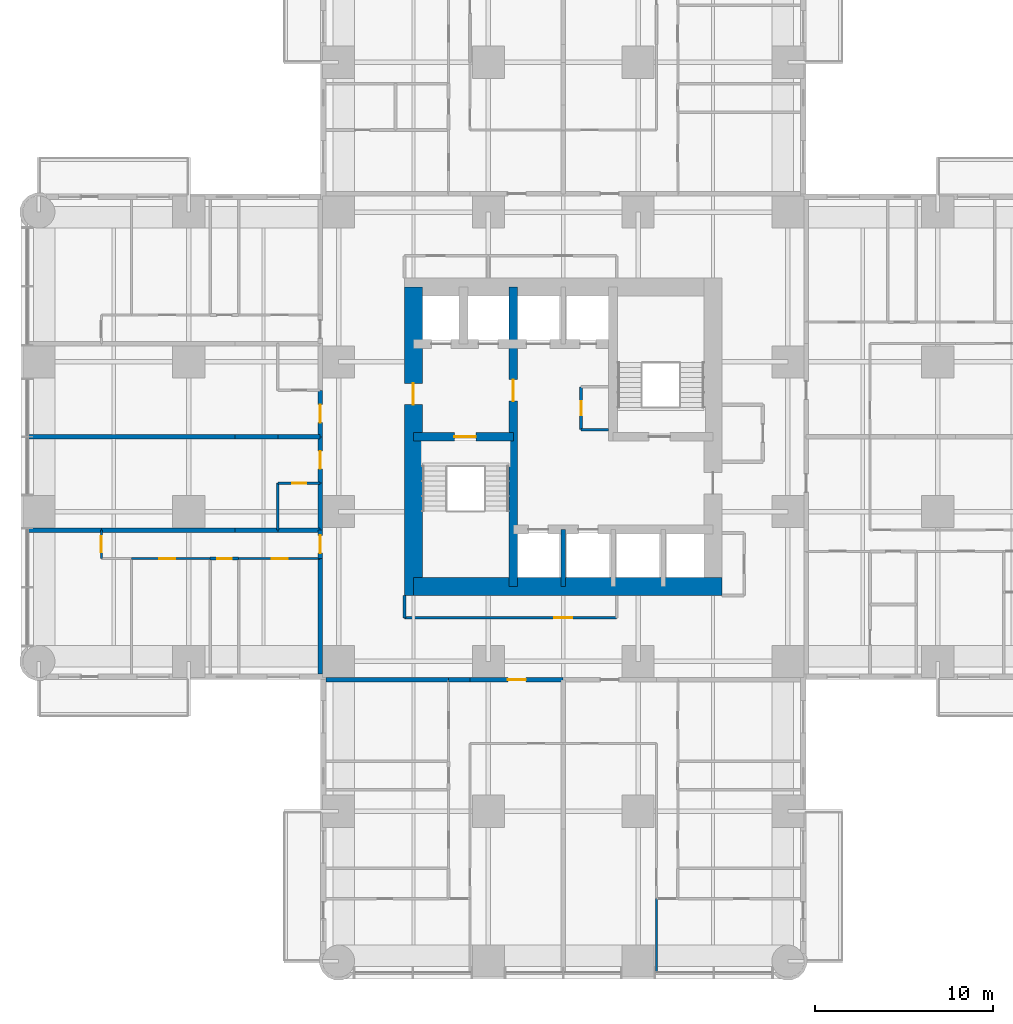
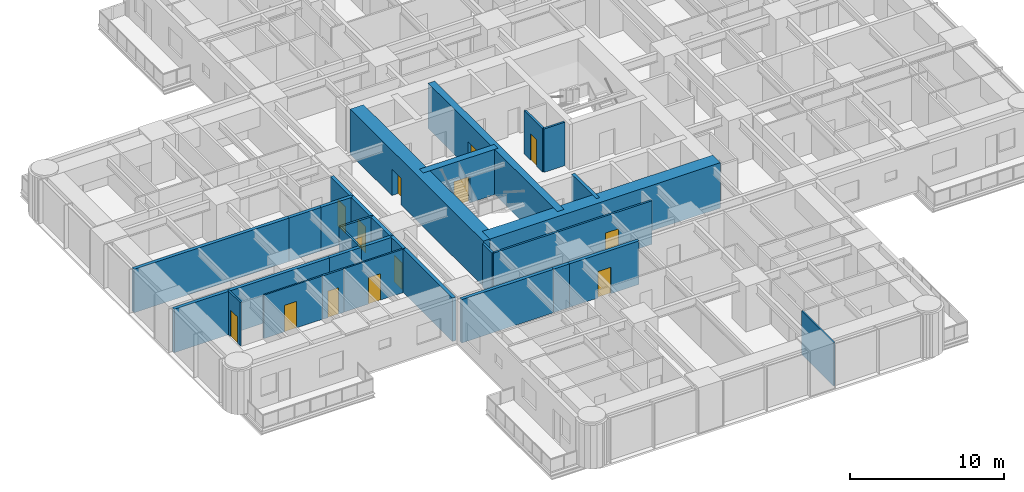
# One storey, part 8 of 17: 31 walls, 14 doors, 14 openings.
"""IFC4 building model written with IfcOpenShell, lengths in metres."""

from ifc_helpers import new_model, si_unit, direction, frame, frame_2d, origin, place, context, subcontext, project, spatial, rectangle, extrude, material, layer, layer_set, type_object, element, fill, save


model = new_model("IFC4")

# Units and contexts
model_context = context("Model", 3, precision=1e-05, world=origin(), true_north=direction((0.0, 1.0)))
body_context = subcontext(model_context, "Body", "Model", "MODEL_VIEW")
ifc_project = project(units=[si_unit("LENGTHUNIT", "METRE"), si_unit("AREAUNIT", "SQUARE_METRE"), si_unit("VOLUMEUNIT", "CUBIC_METRE"), si_unit("PLANEANGLEUNIT", "RADIAN"), si_unit("MASSUNIT", "GRAM", prefix="KILO")], contexts=[model_context])

# Site, building, storey
site_placement = place(None, origin())
site = spatial("IfcSite", under=ifc_project, at=site_placement, CompositionType="ELEMENT")
building_placement = place(site_placement, origin())
building = spatial("IfcBuilding", under=site, at=building_placement, Name="Torre Alcanfor", CompositionType="ELEMENT")
storey_placement = place(building_placement, frame((0.0, 0.0, 81.300048828125)))
storey = spatial("IfcBuildingStorey", under=building, at=storey_placement, Name="L20", CompositionType="ELEMENT", Elevation=81.300048828125)

# Wall, opening, door
ifc_material_1 = material(Name="Concrete block masonry, hollow blocks NMX-C-404 9 MPa", Category="masonry")
ifc_layer_1 = layer(ifc_material_1, 0.25)
ifc_layer_set_1 = layer_set([ifc_layer_1], Name="Apartment entrance wall 250 EI 60")
wall_type_1 = type_object("IfcWallType", Name="Apartment entrance wall 250 EI 60", PredefinedType="PARTITIONING", material=ifc_layer_set_1)
wall_1_placement = place(storey_placement, frame((29.39990234375, 15.77490234375, 0.0), z_axis=(0.0, 0.0, 1.0), x_axis=(-1.0, 0.0, 0.0)))
wall_1 = element("IfcWall", 1, at=wall_1_placement, inside=storey, type_object=wall_type_1, Name="Partition L20-CORR / L20-S2-ZAG", PredefinedType="PARTITIONING", context=body_context, shape_type="SweptSolid", body=[
    extrude(rectangle(XDim=5.22900390625, YDim=0.25, at=frame_2d((2.614501953125, 0.0))), origin(), (0.0, 0.0, 1.0), 3.449951171875),
])
opening_1_placement = place(wall_1_placement, frame((2.10009765625, 0.0, 0.0)))
opening_1 = element("IfcOpeningElement", 2, at=opening_1_placement, cuts=wall_1, Name="Opening D-A1", PredefinedType="OPENING", context=body_context, shape_type="SweptSolid", body=[
    extrude(rectangle(XDim=1.0, YDim=2.10009765625, at=frame_2d((0.5, 1.050048828125))), frame((0.0, 0.135009765625, 0.0), z_axis=(0.0, -1.0, 0.0), x_axis=(1.0, 0.0, 0.0)), (0.0, 0.0, 1.0), 0.27001953125),
])
ifc_material_2 = material(Name="Galvanised steel sheet ASTM A653", Category="steel")
door_type_1 = type_object("IfcDoorType", Name="Apartment entrance door FD60 1000x2100", OperationType="SINGLE_SWING_LEFT", PredefinedType="DOOR", material=ifc_material_2)
door_1_placement = place(opening_1_placement, origin())
door_1 = element("IfcDoor", 3, at=door_1_placement, inside=storey, type_object=door_type_1, Name="Apartment entrance L20-S2", OperationType="SINGLE_SWING_LEFT", OverallHeight=2.10009765625, OverallWidth=1.0, PredefinedType="DOOR", context=body_context, shape_type="SweptSolid", body=[
    extrude(rectangle(XDim=1.0, YDim=2.10009765625, at=frame_2d((0.5, 1.050048828125))), frame((0.0, 0.02490234375, 0.0), z_axis=(0.0, -1.0, 0.0), x_axis=(1.0, 0.0, 0.0)), (0.0, 0.0, 1.0), 0.050048828125),
])
fill(opening_1, door_1)

# Walls
wall_2_placement = place(storey_placement, frame((24.1708984375, 15.77490234375, 0.0), z_axis=(0.0, 0.0, 1.0), x_axis=(-1.0, 0.0, 0.0)))
element("IfcWall", 4, at=wall_2_placement, inside=storey, type_object=wall_type_1, Name="Partition L20-CORR / L20-S2-HALL", PredefinedType="PARTITIONING", context=body_context, shape_type="SweptSolid", body=[
    extrude(rectangle(XDim=1.199951171875, YDim=0.25, at=frame_2d((0.60009765625, 0.0))), origin(), (0.0, 0.0, 1.0), 3.449951171875),
])
wall_3_placement = place(storey_placement, frame((22.970947265625, 15.77490234375, 0.0), z_axis=(0.0, 0.0, 1.0), x_axis=(-1.0, 0.0, 0.0)))
element("IfcWall", 5, at=wall_3_placement, inside=storey, type_object=wall_type_1, Name="Partition L20-CORR / L20-S2-BED3", PredefinedType="PARTITIONING", context=body_context, shape_type="SweptSolid", body=[
    extrude(rectangle(XDim=6.870849609375, YDim=0.25, at=frame_2d((3.435546875, 0.0))), origin(), (0.0, 0.0, 1.0), 3.449951171875),
])

# Wall, opening, door
wall_4_placement = place(storey_placement, frame((15.77490234375, 26.800048828125, 0.0), z_axis=(0.0, 0.0, 1.0), x_axis=(0.0, 1.0, 0.0)))
wall_4 = element("IfcWall", 6, at=wall_4_placement, inside=storey, type_object=wall_type_1, Name="Partition L20-CORR / L20-W1A-FOYER", PredefinedType="PARTITIONING", context=body_context, shape_type="SweptSolid", body=[
    extrude(rectangle(XDim=2.599853515625, YDim=0.25, at=frame_2d((1.2998046875, 0.0))), origin(), (0.0, 0.0, 1.0), 3.449951171875),
])
opening_2_placement = place(wall_4_placement, frame((0.800048828125, 0.0, 0.0)))
opening_2 = element("IfcOpeningElement", 7, at=opening_2_placement, cuts=wall_4, Name="Opening D-A1", PredefinedType="OPENING", context=body_context, shape_type="SweptSolid", body=[
    extrude(rectangle(XDim=1.0, YDim=2.10009765625, at=frame_2d((0.5, 1.050048828125))), frame((0.0, 0.135009765625, 0.0), z_axis=(0.0, -1.0, 0.0), x_axis=(1.0, 0.0, 0.0)), (0.0, 0.0, 1.0), 0.27001953125),
])
door_2_placement = place(opening_2_placement, origin())
door_2 = element("IfcDoor", 8, at=door_2_placement, inside=storey, type_object=door_type_1, Name="Apartment entrance L20-W1A", OperationType="SINGLE_SWING_LEFT", OverallHeight=2.10009765625, OverallWidth=1.0, PredefinedType="DOOR", context=body_context, shape_type="SweptSolid", body=[
    extrude(rectangle(XDim=1.0, YDim=2.10009765625, at=frame_2d((0.5, 1.050048828125))), frame((0.0, 0.02490234375, 0.0), z_axis=(0.0, -1.0, 0.0), x_axis=(1.0, 0.0, 0.0)), (0.0, 0.0, 1.0), 0.050048828125),
])
fill(opening_2, door_2)

# Wall
wall_5_placement = place(storey_placement, frame((15.77490234375, 24.1708984375, 0.0), z_axis=(0.0, 0.0, 1.0), x_axis=(0.0, 1.0, 0.0)))
element("IfcWall", 9, at=wall_5_placement, inside=storey, type_object=wall_type_1, Name="Partition L20-CORR / L20-W1A-BATH", PredefinedType="PARTITIONING", context=body_context, shape_type="SweptSolid", body=[
    extrude(rectangle(XDim=2.629150390625, YDim=0.25, at=frame_2d((1.314453125, 0.0))), origin(), (0.0, 0.0, 1.0), 3.449951171875),
])

# Wall, opening, door
wall_6_placement = place(storey_placement, frame((15.77490234375, 22.571044921875, 0.0), z_axis=(0.0, 0.0, 1.0), x_axis=(0.0, 1.0, 0.0)))
wall_6 = element("IfcWall", 10, at=wall_6_placement, inside=storey, type_object=wall_type_1, Name="Partition L20-CORR / L20-W1B-HALL", PredefinedType="PARTITIONING", context=body_context, shape_type="SweptSolid", body=[
    extrude(rectangle(XDim=1.599853515625, YDim=0.25, at=frame_2d((0.7998046875, 0.0))), origin(), (0.0, 0.0, 1.0), 3.449951171875),
])
opening_3_placement = place(wall_6_placement, frame((0.300048828125, 0.0, 0.0)))
opening_3 = element("IfcOpeningElement", 11, at=opening_3_placement, cuts=wall_6, Name="Opening D-A1", PredefinedType="OPENING", context=body_context, shape_type="SweptSolid", body=[
    extrude(rectangle(XDim=1.0, YDim=2.10009765625, at=frame_2d((0.5, 1.050048828125))), frame((0.0, 0.135009765625, 0.0), z_axis=(0.0, -1.0, 0.0), x_axis=(1.0, 0.0, 0.0)), (0.0, 0.0, 1.0), 0.27001953125),
])
door_3_placement = place(opening_3_placement, origin())
door_3 = element("IfcDoor", 12, at=door_3_placement, inside=storey, type_object=door_type_1, Name="Apartment entrance L20-W1B", OperationType="SINGLE_SWING_LEFT", OverallHeight=2.10009765625, OverallWidth=1.0, PredefinedType="DOOR", context=body_context, shape_type="SweptSolid", body=[
    extrude(rectangle(XDim=1.0, YDim=2.10009765625, at=frame_2d((0.5, 1.050048828125))), frame((0.0, 0.02490234375, 0.0), z_axis=(0.0, -1.0, 0.0), x_axis=(1.0, 0.0, 0.0)), (0.0, 0.0, 1.0), 0.050048828125),
])
fill(opening_3, door_3)

# Wall
wall_7_placement = place(storey_placement, frame((15.77490234375, 16.10009765625, 0.0), z_axis=(0.0, 0.0, 1.0), x_axis=(0.0, 1.0, 0.0)))
element("IfcWall", 13, at=wall_7_placement, inside=storey, type_object=wall_type_1, Name="Partition L20-CORR / L20-W1B-MASTER", PredefinedType="PARTITIONING", context=body_context, shape_type="SweptSolid", body=[
    extrude(rectangle(XDim=6.470947265625, YDim=0.25, at=frame_2d((3.2353515625, 0.0))), origin(), (0.0, 0.0, 1.0), 3.449951171875),
])

# Wall, opening, door
wall_8_placement = place(storey_placement, frame((15.77490234375, 29.39990234375, 0.0), z_axis=(0.0, 0.0, 1.0), x_axis=(0.0, 1.0, 0.0)))
wall_8 = element("IfcWall", 14, at=wall_8_placement, inside=storey, type_object=wall_type_1, Name="Partition L20-CORR / L20-W2A-FOYER", PredefinedType="PARTITIONING", context=body_context, shape_type="SweptSolid", body=[
    extrude(rectangle(XDim=2.60009765625, YDim=0.25, at=frame_2d((1.300048828125, 0.0))), origin(), (0.0, 0.0, 1.0), 3.449951171875),
])
opening_4_placement = place(wall_8_placement, frame((0.800048828125, 0.0, 0.0)))
opening_4 = element("IfcOpeningElement", 15, at=opening_4_placement, cuts=wall_8, Name="Opening D-A1", PredefinedType="OPENING", context=body_context, shape_type="SweptSolid", body=[
    extrude(rectangle(XDim=1.0, YDim=2.10009765625, at=frame_2d((0.5, 1.050048828125))), frame((0.0, 0.135009765625, 0.0), z_axis=(0.0, -1.0, 0.0), x_axis=(1.0, 0.0, 0.0)), (0.0, 0.0, 1.0), 0.27001953125),
])
door_4_placement = place(opening_4_placement, origin())
door_4 = element("IfcDoor", 16, at=door_4_placement, inside=storey, type_object=door_type_1, Name="Apartment entrance L20-W2A", OperationType="SINGLE_SWING_LEFT", OverallHeight=2.10009765625, OverallWidth=1.0, PredefinedType="DOOR", context=body_context, shape_type="SweptSolid", body=[
    extrude(rectangle(XDim=1.0, YDim=2.10009765625, at=frame_2d((0.5, 1.050048828125))), frame((0.0, 0.02490234375, 0.0), z_axis=(0.0, -1.0, 0.0), x_axis=(1.0, 0.0, 0.0)), (0.0, 0.0, 1.0), 0.050048828125),
])
fill(opening_4, door_4)

# Wall
ifc_material_3 = material(Name="Gypsum board on steel studs", Category="steel")
ifc_layer_2 = layer(ifc_material_3, 0.1201171875)
ifc_layer_set_2 = layer_set([ifc_layer_2], Name="Apartment partition 120")
wall_type_2 = type_object("IfcWallType", Name="Apartment partition 120", PredefinedType="PARTITIONING", material=ifc_layer_set_2)
wall_9_placement = place(storey_placement, frame((34.62890625, -0.64990234375, 0.0), z_axis=(0.0, 0.0, 1.0), x_axis=(0.0, 1.0, 0.0)))
element("IfcWall", 17, at=wall_9_placement, inside=storey, type_object=wall_type_2, Name="Partition L20-S1-LIVING / L20-S1-MASTER", PredefinedType="PARTITIONING", context=body_context, shape_type="SweptSolid", body=[
    extrude(rectangle(XDim=4.14990234375, YDim=0.1201171875, at=frame_2d((2.074951171875, 0.0))), origin(), (0.0, 0.0, 1.0), 3.449951171875),
])

# Wall, opening, door
wall_10_placement = place(storey_placement, frame((11.199951171875, 22.571044921875, 0.0), z_axis=(0.0, 0.0, 1.0), x_axis=(1.0, 0.0, 0.0)))
wall_10 = element("IfcWall", 18, at=wall_10_placement, inside=storey, type_object=wall_type_2, Name="Partition L20-W1B-HALL / L20-W1B-MASTER", PredefinedType="PARTITIONING", context=body_context, shape_type="SweptSolid", body=[
    extrude(rectangle(XDim=4.574951171875, YDim=0.1201171875, at=frame_2d((2.28759765625, 0.0))), origin(), (0.0, 0.0, 1.0), 3.449951171875),
])
opening_5_placement = place(wall_10_placement, frame((1.85009765625, 0.0, 0.0)))
opening_5 = element("IfcOpeningElement", 19, at=opening_5_placement, cuts=wall_10, Name="Opening D-R1", PredefinedType="OPENING", context=body_context, shape_type="SweptSolid", body=[
    extrude(rectangle(XDim=0.89990234375, YDim=2.10009765625, at=frame_2d((0.449951171875, 1.050048828125))), frame((0.0, 0.070068359375, 0.0), z_axis=(0.0, -1.0, 0.0), x_axis=(1.0, 0.0, 0.0)), (0.0, 0.0, 1.0), 0.14013671875),
])
ifc_material_4 = material(Name="Timber", Category="wood")
door_type_2 = type_object("IfcDoorType", Name="Internal door 900x2100", OperationType="SINGLE_SWING_LEFT", PredefinedType="DOOR", material=ifc_material_4)
door_5_placement = place(opening_5_placement, frame((0.89990234375, 0.0, 0.0), z_axis=(0.0, 0.0, 1.0), x_axis=(-1.0, 0.0, 0.0)))
door_5 = element("IfcDoor", 20, at=door_5_placement, inside=storey, type_object=door_type_2, Name="Door L20-W1B master", OperationType="SINGLE_SWING_LEFT", OverallHeight=2.10009765625, OverallWidth=0.89990234375, PredefinedType="DOOR", context=body_context, shape_type="SweptSolid", body=[
    extrude(rectangle(XDim=0.89990234375, YDim=2.10009765625, at=frame_2d((0.449951171875, 1.050048828125))), frame((0.0, 0.025146484375, 0.0), z_axis=(0.0, -1.0, 0.0), x_axis=(1.0, 0.0, 0.0)), (0.0, 0.0, 1.0), 0.050048828125),
])
fill(opening_5, door_5)

wall_11_placement = place(storey_placement, frame((5.199951171875, 22.571044921875, 0.0), z_axis=(0.0, 0.0, 1.0), x_axis=(1.0, 0.0, 0.0)))
wall_11 = element("IfcWall", 21, at=wall_11_placement, inside=storey, type_object=wall_type_2, Name="Partition L20-W1B-HALL / L20-W1B-STUDY", PredefinedType="PARTITIONING", context=body_context, shape_type="SweptSolid", body=[
    extrude(rectangle(XDim=4.400146484375, YDim=0.1201171875, at=frame_2d((2.2001953125, 0.0))), origin(), (0.0, 0.0, 1.0), 3.449951171875),
])
opening_6_placement = place(wall_11_placement, frame((1.550048828125, 0.0, 0.0)))
opening_6 = element("IfcOpeningElement", 22, at=opening_6_placement, cuts=wall_11, Name="Opening D-R1", PredefinedType="OPENING", context=body_context, shape_type="SweptSolid", body=[
    extrude(rectangle(XDim=0.89990234375, YDim=2.10009765625, at=frame_2d((0.449951171875, 1.050048828125))), frame((0.0, 0.070068359375, 0.0), z_axis=(0.0, -1.0, 0.0), x_axis=(1.0, 0.0, 0.0)), (0.0, 0.0, 1.0), 0.14013671875),
])
door_6_placement = place(opening_6_placement, frame((0.89990234375, 0.0, 0.0), z_axis=(0.0, 0.0, 1.0), x_axis=(-1.0, 0.0, 0.0)))
door_6 = element("IfcDoor", 23, at=door_6_placement, inside=storey, type_object=door_type_2, Name="Door L20-W1B study", OperationType="SINGLE_SWING_RIGHT", OverallHeight=2.10009765625, OverallWidth=0.89990234375, PredefinedType="DOOR", context=body_context, shape_type="SweptSolid", body=[
    extrude(rectangle(XDim=0.89990234375, YDim=2.10009765625, at=frame_2d((0.449951171875, 1.050048828125))), frame((0.0, 0.025146484375, 0.0), z_axis=(0.0, -1.0, 0.0), x_axis=(1.0, 0.0, 0.0)), (0.0, 0.0, 1.0), 0.050048828125),
])
fill(opening_6, door_6)

wall_12_placement = place(storey_placement, frame((3.5, 24.1708984375, 0.0), z_axis=(0.0, 0.0, 1.0), x_axis=(0.0, -1.0, 0.0)))
wall_12 = element("IfcWall", 24, at=wall_12_placement, inside=storey, type_object=wall_type_2, Name="Partition L20-W1B-HALL / L20-W1B-LIVING", PredefinedType="PARTITIONING", context=body_context, shape_type="SweptSolid", body=[
    extrude(rectangle(XDim=1.599853515625, YDim=0.1201171875, at=frame_2d((0.7998046875, 0.0))), origin(), (0.0, 0.0, 1.0), 3.449951171875),
])
opening_7_placement = place(wall_12_placement, frame((0.35009765625, 0.0, 0.0)))
opening_7 = element("IfcOpeningElement", 25, at=opening_7_placement, cuts=wall_12, Name="Opening D-R1", PredefinedType="OPENING", context=body_context, shape_type="SweptSolid", body=[
    extrude(rectangle(XDim=0.89990234375, YDim=2.10009765625, at=frame_2d((0.449951171875, 1.050048828125))), frame((0.0, 0.070068359375, 0.0), z_axis=(0.0, -1.0, 0.0), x_axis=(1.0, 0.0, 0.0)), (0.0, 0.0, 1.0), 0.14013671875),
])
door_7_placement = place(opening_7_placement, frame((0.89990234375, 0.0, 0.0), z_axis=(0.0, 0.0, 1.0), x_axis=(-1.0, 0.0, 0.0)))
door_7 = element("IfcDoor", 26, at=door_7_placement, inside=storey, type_object=door_type_2, Name="Door L20-W1B living", OperationType="SINGLE_SWING_RIGHT", OverallHeight=2.10009765625, OverallWidth=0.89990234375, PredefinedType="DOOR", context=body_context, shape_type="SweptSolid", body=[
    extrude(rectangle(XDim=0.89990234375, YDim=2.10009765625, at=frame_2d((0.449951171875, 1.050048828125))), frame((0.0, 0.025146484375, 0.0), z_axis=(0.0, -1.0, 0.0), x_axis=(1.0, 0.0, 0.0)), (0.0, 0.0, 1.0), 0.050048828125),
])
fill(opening_7, door_7)

ifc_material_5 = material(Name="Concrete f'c 70 MPa", Category="concrete")
ifc_layer_3 = layer(ifc_material_5, 0.5)
ifc_layer_set_3 = layer_set([ifc_layer_3], Name="Core inner wall 500 f'c70")
wall_type_3 = type_object("IfcWallType", Name="Core inner wall 500 f'c70", PredefinedType="SHEAR", material=ifc_layer_set_3)
wall_13_placement = place(storey_placement, frame((26.60009765625, 21.0, 0.0), z_axis=(0.0, 0.0, 1.0), x_axis=(0.0, 1.0, 0.0)))
wall_13 = element("IfcWall", 27, at=wall_13_placement, inside=storey, type_object=wall_type_3, Name="Core wall X266 L20", PredefinedType="SHEAR", context=body_context, shape_type="SweptSolid", body=[
    extrude(rectangle(XDim=16.800048828125, YDim=0.5, at=frame_2d((8.39990234375, 0.0))), origin(), (0.0, 0.0, 1.0), 3.599853515625),
])
opening_8_placement = place(wall_13_placement, frame((10.39990234375, 0.0, 0.0)))
opening_8 = element("IfcOpeningElement", 28, at=opening_8_placement, cuts=wall_13, Name="Opening D-L1", PredefinedType="OPENING", context=body_context, shape_type="SweptSolid", body=[
    extrude(rectangle(XDim=1.199951171875, YDim=2.10009765625, at=frame_2d((0.60009765625, 1.050048828125))), frame((0.0, 0.260009765625, 0.0), z_axis=(0.0, -1.0, 0.0), x_axis=(1.0, 0.0, 0.0)), (0.0, 0.0, 1.0), 0.52001953125),
])
ifc_material_6 = material(Name="Galvanised steel sheet ASTM A653", Category="steel")
door_type_3 = type_object("IfcDoorType", Name="Lobby door FD120 1200x2100", OperationType="SINGLE_SWING_LEFT", PredefinedType="DOOR", material=ifc_material_6)
door_8_placement = place(opening_8_placement, origin())
door_8 = element("IfcDoor", 29, at=door_8_placement, inside=storey, type_object=door_type_3, Name="Lift lobby door L20", OperationType="SINGLE_SWING_LEFT", OverallHeight=2.10009765625, OverallWidth=1.199951171875, PredefinedType="DOOR", context=body_context, shape_type="SweptSolid", body=[
    extrude(rectangle(XDim=1.199951171875, YDim=2.10009765625, at=frame_2d((0.60009765625, 1.050048828125))), frame((0.0, 0.02490234375, 0.0), z_axis=(0.0, -1.0, 0.0), x_axis=(1.0, 0.0, 0.0)), (0.0, 0.0, 1.0), 0.050048828125),
])
fill(opening_8, door_8)

wall_14_placement = place(storey_placement, frame((21.0, 29.39990234375, 0.0), z_axis=(0.0, 0.0, 1.0), x_axis=(1.0, 0.0, 0.0)))
wall_14 = element("IfcWall", 30, at=wall_14_placement, inside=storey, type_object=wall_type_3, Name="Core wall Y294W L20", PredefinedType="SHEAR", context=body_context, shape_type="SweptSolid", body=[
    extrude(rectangle(XDim=5.60009765625, YDim=0.5, at=frame_2d((2.800048828125, 0.0))), origin(), (0.0, 0.0, 1.0), 3.599853515625),
])
opening_9_placement = place(wall_14_placement, frame((2.300048828125, 0.0, 0.0)))
opening_9 = element("IfcOpeningElement", 31, at=opening_9_placement, cuts=wall_14, Name="Opening D-S2", PredefinedType="OPENING", context=body_context, shape_type="SweptSolid", body=[
    extrude(rectangle(XDim=1.199951171875, YDim=2.10009765625, at=frame_2d((0.60009765625, 1.050048828125))), frame((0.0, 0.260009765625, 0.0), z_axis=(0.0, -1.0, 0.0), x_axis=(1.0, 0.0, 0.0)), (0.0, 0.0, 1.0), 0.52001953125),
])
ifc_material_7 = material(Name="Galvanised steel sheet ASTM A653", Category="steel")
door_type_4 = type_object("IfcDoorType", Name="Stair enclosure door FD120 1200x2100", OperationType="SINGLE_SWING_LEFT", PredefinedType="DOOR", material=ifc_material_7)
door_9_placement = place(opening_9_placement, frame((1.199951171875, 0.0, 0.0), z_axis=(0.0, 0.0, 1.0), x_axis=(-1.0, 0.0, 0.0)))
door_9 = element("IfcDoor", 32, at=door_9_placement, inside=storey, type_object=door_type_4, Name="Stair S1 door L20", OperationType="SINGLE_SWING_LEFT", OverallHeight=2.10009765625, OverallWidth=1.199951171875, PredefinedType="DOOR", context=body_context, shape_type="SweptSolid", body=[
    extrude(rectangle(XDim=1.199951171875, YDim=2.10009765625, at=frame_2d((0.599853515625, 1.050048828125))), frame((0.0, 0.025146484375, 0.0), z_axis=(0.0, -1.0, 0.0), x_axis=(1.0, 0.0, 0.0)), (0.0, 0.0, 1.0), 0.050048828125),
])
fill(opening_9, door_9)

# Walls
ifc_material_8 = material(Name="Concrete f'c 70 MPa", Category="concrete")
ifc_layer_4 = layer(ifc_material_8, 0.25)
ifc_layer_set_4 = layer_set([ifc_layer_4], Name="Core shaft wall 250 f'c70")
wall_type_4 = type_object("IfcWallType", Name="Core shaft wall 250 f'c70", PredefinedType="SHEAR", material=ifc_layer_set_4)
wall_15_placement = place(storey_placement, frame((29.39990234375, 21.0, 0.0), z_axis=(0.0, 0.0, 1.0), x_axis=(0.0, 1.0, 0.0)))
element("IfcWall", 33, at=wall_15_placement, inside=storey, type_object=wall_type_4, Name="Core wall X294S L20", PredefinedType="SHEAR", context=body_context, shape_type="SweptSolid", body=[
    extrude(rectangle(XDim=3.199951171875, YDim=0.25, at=frame_2d((1.60009765625, 0.0))), origin(), (0.0, 0.0, 1.0), 3.599853515625),
])
ifc_material_9 = material(Name="Concrete f'c 70 MPa", Category="concrete")
ifc_layer_5 = layer(ifc_material_9, 1.0)
ifc_layer_set_5 = layer_set([ifc_layer_5], Name="Core wall 1000 f'c70")
wall_type_5 = type_object("IfcWallType", Name="Core wall 1000 f'c70", PredefinedType="SHEAR", material=ifc_layer_set_5)
wall_16_placement = place(storey_placement, frame((21.0, 21.0, 0.0), z_axis=(0.0, 0.0, 1.0), x_axis=(1.0, 0.0, 0.0)))
element("IfcWall", 34, at=wall_16_placement, inside=storey, type_object=wall_type_5, Name="Core wall OUT-S L20", PredefinedType="SHEAR", context=body_context, shape_type="SweptSolid", body=[
    extrude(rectangle(XDim=17.300048828125, YDim=1.0, at=frame_2d((8.64990234375, 0.0))), origin(), (0.0, 0.0, 1.0), 3.599853515625),
])

# Wall, opening, door
wall_17_placement = place(storey_placement, frame((21.0, 37.800048828125, 0.0), z_axis=(0.0, 0.0, 1.0), x_axis=(0.0, -1.0, 0.0)))
wall_17 = element("IfcWall", 35, at=wall_17_placement, inside=storey, type_object=wall_type_5, Name="Core wall OUT-W L20", PredefinedType="SHEAR", context=body_context, shape_type="SweptSolid", body=[
    extrude(rectangle(XDim=17.300048828125, YDim=1.0, at=frame_2d((8.64990234375, 0.0))), origin(), (0.0, 0.0, 1.0), 3.599853515625),
])
opening_10_placement = place(wall_17_placement, frame((5.39990234375, 0.0, 0.0)))
opening_10 = element("IfcOpeningElement", 36, at=opening_10_placement, cuts=wall_17, Name="Opening D-L1", PredefinedType="OPENING", context=body_context, shape_type="SweptSolid", body=[
    extrude(rectangle(XDim=1.199951171875, YDim=2.10009765625, at=frame_2d((0.60009765625, 1.050048828125))), frame((0.0, 0.510009765625, 0.0), z_axis=(0.0, -1.0, 0.0), x_axis=(1.0, 0.0, 0.0)), (0.0, 0.0, 1.0), 1.02001953125),
])
door_10_placement = place(opening_10_placement, origin())
door_10 = element("IfcDoor", 37, at=door_10_placement, inside=storey, type_object=door_type_3, Name="Firefighting lobby door L20", OperationType="SINGLE_SWING_LEFT", OverallHeight=2.10009765625, OverallWidth=1.199951171875, PredefinedType="DOOR", context=body_context, shape_type="SweptSolid", body=[
    extrude(rectangle(XDim=1.199951171875, YDim=2.10009765625, at=frame_2d((0.60009765625, 1.050048828125))), frame((0.0, 0.02490234375, 0.0), z_axis=(0.0, -1.0, 0.0), x_axis=(1.0, 0.0, 0.0)), (0.0, 0.0, 1.0), 0.050048828125),
])
fill(opening_10, door_10)

# Walls
ifc_material_10 = material(Name="Concrete block masonry, hollow blocks NMX-C-404 9 MPa", Category="masonry")
ifc_layer_6 = layer(ifc_material_10, 0.25)
ifc_layer_set_6 = layer_set([ifc_layer_6], Name="Party wall 250 EI 60")
wall_type_6 = type_object("IfcWallType", Name="Party wall 250 EI 60", PredefinedType="PARTITIONING", material=ifc_layer_set_6)
for number, where, z_axis, x_axis, name in (
    (38, (15.77490234375, 29.39990234375, 0.0), (0.0, 0.0, 1.0), (-1.0, 0.0, 0.0), "Partition L20-W1A-FOYER / L20-W2A-FOYER"),
    (39, (13.39990234375, 24.1708984375, 0.0), (0.0, 0.0, 1.0), (1.0, 0.0, 0.0), "Partition L20-W1A-BATH / L20-W1B-HALL"),
):
    element("IfcWall", number, at=place(storey_placement, frame(where, z_axis=z_axis, x_axis=x_axis)), inside=storey, type_object=wall_type_6, Name=name, PredefinedType="PARTITIONING", context=body_context, shape_type="SweptSolid", body=[
        extrude(rectangle(XDim=2.375, YDim=0.25, at=frame_2d((1.1875, 0.0))), origin(), (0.0, 0.0, 1.0), 3.449951171875),
    ])
for number, where, z_axis, x_axis, name in (
    (40, (11.0, 24.1708984375, 0.0), (0.0, 0.0, 1.0), (1.0, 0.0, 0.0), "Partition L20-W1A-KITCHEN / L20-W1B-HALL"),
    (41, (13.39990234375, 29.39990234375, 0.0), (0.0, 0.0, 1.0), (-1.0, 0.0, 0.0), "Partition L20-W1A-KITCHEN / L20-W2A-KITCHEN"),
):
    element("IfcWall", number, at=place(storey_placement, frame(where, z_axis=z_axis, x_axis=x_axis)), inside=storey, type_object=wall_type_6, Name=name, PredefinedType="PARTITIONING", context=body_context, shape_type="SweptSolid", body=[
        extrude(rectangle(XDim=2.39990234375, YDim=0.25, at=frame_2d((1.199951171875, 0.0))), origin(), (0.0, 0.0, 1.0), 3.449951171875),
    ])
wall_18_placement = place(storey_placement, frame((3.5, 24.1708984375, 0.0), z_axis=(0.0, 0.0, 1.0), x_axis=(1.0, 0.0, 0.0)))
element("IfcWall", 42, at=wall_18_placement, inside=storey, type_object=wall_type_6, Name="Partition L20-W1A-STUDIO / L20-W1B-HALL", PredefinedType="PARTITIONING", context=body_context, shape_type="SweptSolid", body=[
    extrude(rectangle(XDim=7.5, YDim=0.25, at=frame_2d((3.75, 0.0))), origin(), (0.0, 0.0, 1.0), 3.449951171875),
])
wall_19_placement = place(storey_placement, frame((-0.64990234375, 24.1708984375, 0.0), z_axis=(0.0, 0.0, 1.0), x_axis=(1.0, 0.0, 0.0)))
element("IfcWall", 43, at=wall_19_placement, inside=storey, type_object=wall_type_6, Name="Partition L20-W1A-STUDIO / L20-W1B-LIVING", PredefinedType="PARTITIONING", context=body_context, shape_type="SweptSolid", body=[
    extrude(rectangle(XDim=4.14990234375, YDim=0.25, at=frame_2d((2.074951171875, 0.0))), origin(), (0.0, 0.0, 1.0), 3.449951171875),
])
wall_20_placement = place(storey_placement, frame((11.0, 29.39990234375, 0.0), z_axis=(0.0, 0.0, 1.0), x_axis=(-1.0, 0.0, 0.0)))
element("IfcWall", 44, at=wall_20_placement, inside=storey, type_object=wall_type_6, Name="Partition L20-W1A-STUDIO / L20-W2A-STUDIO", PredefinedType="PARTITIONING", context=body_context, shape_type="SweptSolid", body=[
    extrude(rectangle(XDim=11.64990234375, YDim=0.25, at=frame_2d((5.824951171875, 0.0))), origin(), (0.0, 0.0, 1.0), 3.449951171875),
])
ifc_material_11 = material(Name="Concrete block masonry, hollow blocks NMX-C-404 9 MPa", Category="masonry")
ifc_layer_7 = layer(ifc_material_11, 0.14990234375)
ifc_layer_set_7 = layer_set([ifc_layer_7], Name="Residents' room partition 150")
wall_type_7 = type_object("IfcWallType", Name="Residents' room partition 150", PredefinedType="PARTITIONING", material=ifc_layer_set_7)
wall_21_placement = place(storey_placement, frame((20.5, 20.5, 0.0), z_axis=(0.0, 0.0, 1.0), x_axis=(0.0, -1.0, 0.0)))
element("IfcWall", 45, at=wall_21_placement, inside=storey, type_object=wall_type_7, Name="Partition L20-CORR / L20-G05", PredefinedType="PARTITIONING", context=body_context, shape_type="SweptSolid", body=[
    extrude(rectangle(XDim=1.25, YDim=0.14990234375, at=frame_2d((0.625, 0.0))), origin(), (0.0, 0.0, 1.0), 3.449951171875),
])

# Wall, opening, door
wall_22_placement = place(storey_placement, frame((20.5, 19.25, 0.0), z_axis=(0.0, 0.0, 1.0), x_axis=(1.0, 0.0, 0.0)))
wall_22 = element("IfcWall", 46, at=wall_22_placement, inside=storey, type_object=wall_type_7, Name="Partition L20-CORR / L20-G05", PredefinedType="PARTITIONING", context=body_context, shape_type="SweptSolid", body=[
    extrude(rectangle(XDim=11.89990234375, YDim=0.14990234375, at=frame_2d((5.949951171875, 0.0))), origin(), (0.0, 0.0, 1.0), 3.449951171875),
])
opening_11_placement = place(wall_22_placement, frame((8.39990234375, 0.0, 0.0)))
opening_11 = element("IfcOpeningElement", 47, at=opening_11_placement, cuts=wall_22, Name="Opening D-M1", PredefinedType="OPENING", context=body_context, shape_type="SweptSolid", body=[
    extrude(rectangle(XDim=1.0, YDim=2.10009765625, at=frame_2d((0.5, 1.050048828125))), frame((0.0, 0.0849609375, 0.0), z_axis=(0.0, -1.0, 0.0), x_axis=(1.0, 0.0, 0.0)), (0.0, 0.0, 1.0), 0.169921875),
])
ifc_material_12 = material(Name="Timber", Category="wood")
door_type_5 = type_object("IfcDoorType", Name="Residents' room door 1000x2100", OperationType="SINGLE_SWING_LEFT", PredefinedType="DOOR", material=ifc_material_12)
door_11_placement = place(opening_11_placement, origin())
door_11 = element("IfcDoor", 48, at=door_11_placement, inside=storey, type_object=door_type_5, Name="Door L20-G05 residents' storage lockers", OperationType="SINGLE_SWING_RIGHT", OverallHeight=2.10009765625, OverallWidth=1.0, PredefinedType="DOOR", context=body_context, shape_type="SweptSolid", body=[
    extrude(rectangle(XDim=1.0, YDim=2.10009765625, at=frame_2d((0.5, 1.050048828125))), frame((0.0, 0.02490234375, 0.0), z_axis=(0.0, -1.0, 0.0), x_axis=(1.0, 0.0, 0.0)), (0.0, 0.0, 1.0), 0.050048828125),
])
fill(opening_11, door_11)

# Wall
wall_23_placement = place(storey_placement, frame((31.949951171875, 29.800048828125, 0.0), z_axis=(0.0, 0.0, 1.0), x_axis=(-1.0, 0.0, 0.0)))
element("IfcWall", 49, at=wall_23_placement, inside=storey, type_object=wall_type_7, Name="Partition L20-LL / L20-CR1", PredefinedType="PARTITIONING", context=body_context, shape_type="SweptSolid", body=[
    extrude(rectangle(XDim=1.550048828125, YDim=0.14990234375, at=frame_2d((0.77490234375, 0.0))), origin(), (0.0, 0.0, 1.0), 3.449951171875),
])

# Wall, opening, door
wall_24_placement = place(storey_placement, frame((30.39990234375, 29.800048828125, 0.0), z_axis=(0.0, 0.0, 1.0), x_axis=(0.0, 1.0, 0.0)))
wall_24 = element("IfcWall", 50, at=wall_24_placement, inside=storey, type_object=wall_type_7, Name="Partition L20-LL / L20-CR1", PredefinedType="PARTITIONING", context=body_context, shape_type="SweptSolid", body=[
    extrude(rectangle(XDim=2.39990234375, YDim=0.14990234375, at=frame_2d((1.199951171875, 0.0))), origin(), (0.0, 0.0, 1.0), 3.449951171875),
])
opening_12_placement = place(wall_24_placement, frame((0.800048828125, 0.0, 0.0)))
opening_12 = element("IfcOpeningElement", 51, at=opening_12_placement, cuts=wall_24, Name="Opening D-R2", PredefinedType="OPENING", context=body_context, shape_type="SweptSolid", body=[
    extrude(rectangle(XDim=0.800048828125, YDim=2.10009765625, at=frame_2d((0.39990234375, 1.050048828125))), frame((0.0, 0.0849609375, 0.0), z_axis=(0.0, -1.0, 0.0), x_axis=(1.0, 0.0, 0.0)), (0.0, 0.0, 1.0), 0.169921875),
])
ifc_material_13 = material(Name="Timber", Category="wood")
door_type_6 = type_object("IfcDoorType", Name="Bathroom door 800x2100", OperationType="SINGLE_SWING_LEFT", PredefinedType="DOOR", material=ifc_material_13)
door_12_placement = place(opening_12_placement, frame((0.800048828125, 0.0, 0.0), z_axis=(0.0, 0.0, 1.0), x_axis=(-1.0, 0.0, 0.0)))
door_12 = element("IfcDoor", 52, at=door_12_placement, inside=storey, type_object=door_type_6, Name="Cleaners' store door L20", OperationType="SINGLE_SWING_RIGHT", OverallHeight=2.10009765625, OverallWidth=0.800048828125, PredefinedType="DOOR", context=body_context, shape_type="SweptSolid", body=[
    extrude(rectangle(XDim=0.800048828125, YDim=2.10009765625, at=frame_2d((0.400146484375, 1.050048828125))), frame((0.0, 0.025146484375, 0.0), z_axis=(0.0, -1.0, 0.0), x_axis=(1.0, 0.0, 0.0)), (0.0, 0.0, 1.0), 0.050048828125),
])
fill(opening_12, door_12)

ifc_material_14 = material(Name="Cement board on steel studs", Category="steel")
ifc_layer_8 = layer(ifc_material_14, 0.14990234375)
ifc_layer_set_8 = layer_set([ifc_layer_8], Name="Wet area partition 150")
wall_type_8 = type_object("IfcWallType", Name="Wet area partition 150", PredefinedType="PARTITIONING", material=ifc_layer_set_8)
wall_25_placement = place(storey_placement, frame((13.39990234375, 26.800048828125, 0.0), z_axis=(0.0, 0.0, 1.0), x_axis=(1.0, 0.0, 0.0)))
wall_25 = element("IfcWall", 53, at=wall_25_placement, inside=storey, type_object=wall_type_8, Name="Partition L20-W1A-FOYER / L20-W1A-BATH", PredefinedType="PARTITIONING", context=body_context, shape_type="SweptSolid", body=[
    extrude(rectangle(XDim=2.375, YDim=0.14990234375, at=frame_2d((1.1875, 0.0))), origin(), (0.0, 0.0, 1.0), 3.449951171875),
])
opening_13_placement = place(wall_25_placement, frame((0.800048828125, 0.0, 0.0)))
opening_13 = element("IfcOpeningElement", 54, at=opening_13_placement, cuts=wall_25, Name="Opening D-R2", PredefinedType="OPENING", context=body_context, shape_type="SweptSolid", body=[
    extrude(rectangle(XDim=0.800048828125, YDim=2.10009765625, at=frame_2d((0.39990234375, 1.050048828125))), frame((0.0, 0.0849609375, 0.0), z_axis=(0.0, -1.0, 0.0), x_axis=(1.0, 0.0, 0.0)), (0.0, 0.0, 1.0), 0.169921875),
])
door_13_placement = place(opening_13_placement, frame((0.800048828125, 0.0, 0.0), z_axis=(0.0, 0.0, 1.0), x_axis=(-1.0, 0.0, 0.0)))
door_13 = element("IfcDoor", 55, at=door_13_placement, inside=storey, type_object=door_type_6, Name="Door L20-W1A bath", OperationType="SINGLE_SWING_LEFT", OverallHeight=2.10009765625, OverallWidth=0.800048828125, PredefinedType="DOOR", context=body_context, shape_type="SweptSolid", body=[
    extrude(rectangle(XDim=0.800048828125, YDim=2.10009765625, at=frame_2d((0.400146484375, 1.050048828125))), frame((0.0, 0.025146484375, 0.0), z_axis=(0.0, -1.0, 0.0), x_axis=(1.0, 0.0, 0.0)), (0.0, 0.0, 1.0), 0.050048828125),
])
fill(opening_13, door_13)

# Wall
wall_26_placement = place(storey_placement, frame((13.39990234375, 26.800048828125, 0.0), z_axis=(0.0, 0.0, 1.0), x_axis=(0.0, -1.0, 0.0)))
element("IfcWall", 56, at=wall_26_placement, inside=storey, type_object=wall_type_8, Name="Partition L20-W1A-BATH / L20-W1A-KITCHEN", PredefinedType="PARTITIONING", context=body_context, shape_type="SweptSolid", body=[
    extrude(rectangle(XDim=2.629150390625, YDim=0.14990234375, at=frame_2d((1.314453125, 0.0))), origin(), (0.0, 0.0, 1.0), 3.449951171875),
])

# Wall, opening, door
wall_27_placement = place(storey_placement, frame((9.60009765625, 22.571044921875, 0.0), z_axis=(0.0, 0.0, 1.0), x_axis=(1.0, 0.0, 0.0)))
wall_27 = element("IfcWall", 57, at=wall_27_placement, inside=storey, type_object=wall_type_8, Name="Partition L20-W1B-HALL / L20-W1B-BATH", PredefinedType="PARTITIONING", context=body_context, shape_type="SweptSolid", body=[
    extrude(rectangle(XDim=1.599853515625, YDim=0.14990234375, at=frame_2d((0.7998046875, 0.0))), origin(), (0.0, 0.0, 1.0), 3.449951171875),
])
opening_14_placement = place(wall_27_placement, frame((0.39990234375, 0.0, 0.0)))
opening_14 = element("IfcOpeningElement", 58, at=opening_14_placement, cuts=wall_27, Name="Opening D-R2", PredefinedType="OPENING", context=body_context, shape_type="SweptSolid", body=[
    extrude(rectangle(XDim=0.800048828125, YDim=2.10009765625, at=frame_2d((0.39990234375, 1.050048828125))), frame((0.0, 0.0849609375, 0.0), z_axis=(0.0, -1.0, 0.0), x_axis=(1.0, 0.0, 0.0)), (0.0, 0.0, 1.0), 0.169921875),
])
door_14_placement = place(opening_14_placement, frame((0.800048828125, 0.0, 0.0), z_axis=(0.0, 0.0, 1.0), x_axis=(-1.0, 0.0, 0.0)))
door_14 = element("IfcDoor", 59, at=door_14_placement, inside=storey, type_object=door_type_6, Name="Door L20-W1B bath", OperationType="SINGLE_SWING_RIGHT", OverallHeight=2.10009765625, OverallWidth=0.800048828125, PredefinedType="DOOR", context=body_context, shape_type="SweptSolid", body=[
    extrude(rectangle(XDim=0.800048828125, YDim=2.10009765625, at=frame_2d((0.400146484375, 1.050048828125))), frame((0.0, 0.025146484375, 0.0), z_axis=(0.0, -1.0, 0.0), x_axis=(1.0, 0.0, 0.0)), (0.0, 0.0, 1.0), 0.050048828125),
])
fill(opening_14, door_14)

save(model, "model.ifc")
